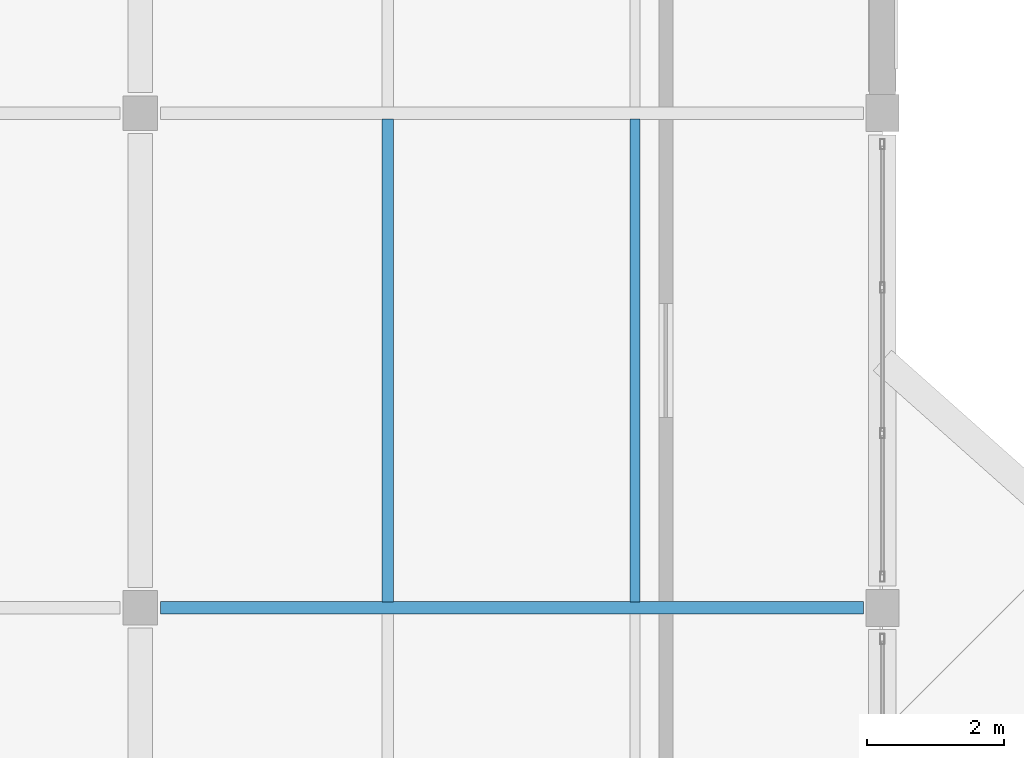
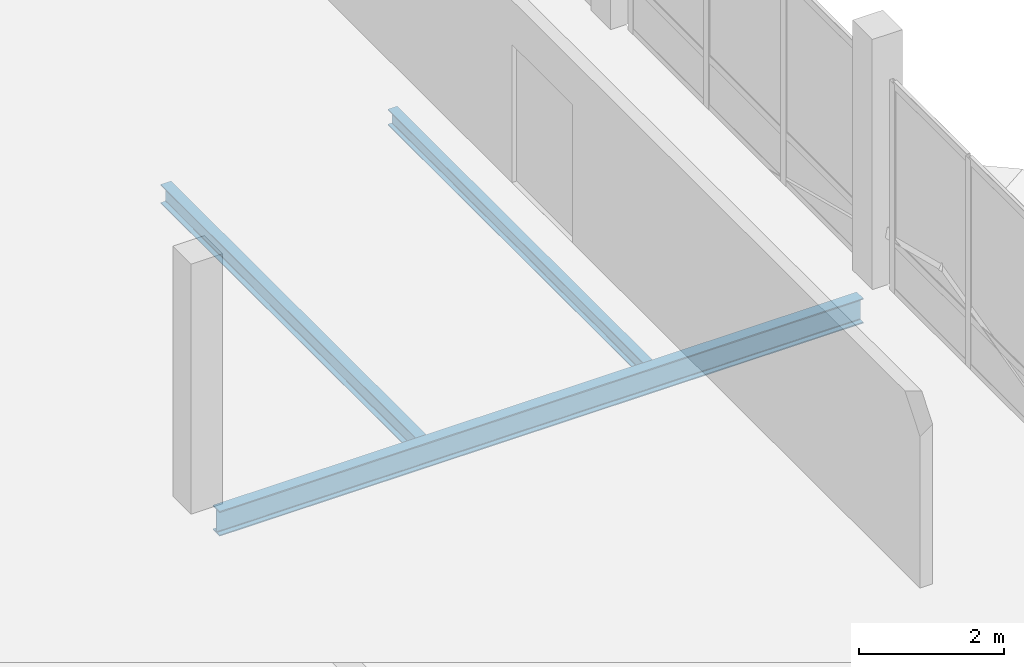
# One storey, part 16 of 72: 3 beams.
"""IFC4 building model written with IfcOpenShell, lengths in metres."""

from ifc_helpers import new_model, si_unit, direction, frame, origin, origin_2d, place, context, subcontext, project, spatial, i_section, extrude, material, material_profile, profile_set, type_object, element, save


model = new_model("IFC4")

# Units and contexts
model_context = context("Model", 3, precision=1e-05, world=origin(), true_north=direction((0.0, 1.0)))
body_context = subcontext(model_context, "Body", "Model", "MODEL_VIEW")
ifc_project = project(units=[si_unit("LENGTHUNIT", "METRE"), si_unit("AREAUNIT", "SQUARE_METRE"), si_unit("VOLUMEUNIT", "CUBIC_METRE"), si_unit("PLANEANGLEUNIT", "RADIAN"), si_unit("MASSUNIT", "GRAM", prefix="KILO")], contexts=[model_context])

# Site, building, storey
site_placement = place(None, origin())
site = spatial("IfcSite", under=ifc_project, at=site_placement, CompositionType="ELEMENT")
building_placement = place(site_placement, origin())
building = spatial("IfcBuilding", under=site, at=building_placement, Name="Lusvemor Sports Hall", CompositionType="ELEMENT")
storey_placement = place(building_placement, frame((0.0, 0.0, 15.0)))
storey = spatial("IfcBuildingStorey", under=building, at=storey_placement, Name="L03", CompositionType="ELEMENT", Elevation=15.0)

# Beams
ifc_material_1 = material(Name="Steel S355", Category="steel")
ifc_material_profile_1 = material_profile(ifc_material_1, i_section(OverallWidth=0.180908203125, OverallDepth=0.4169921875, WebThickness=0.010986328125, FlangeThickness=0.018310546875, FilletRadius=0.01611328125, at=origin_2d()), Name="W410x85.0")
ifc_profile_set_1 = profile_set([ifc_material_profile_1], Name="Steel S355")
beam_type_1 = type_object("IfcBeamType", Name="BEAM_ST_410H", PredefinedType="BEAM", material=ifc_profile_set_1)
beam_1_placement = place(storey_placement, frame((11.095947265625, 82.800048828125, -0.452392578125), z_axis=(1.0, 0.0, 0.0), x_axis=(0.0, 1.0, 0.0)))
element("IfcBeam", 1, at=beam_1_placement, inside=storey, type_object=beam_type_1, Name="Beam L03 L:2-3", PredefinedType="BEAM", context=body_context, shape_type="SweptSolid", body=[
    extrude(i_section(OverallWidth=0.180908203125, OverallDepth=0.4169921875, WebThickness=0.010986328125, FlangeThickness=0.018310546875, FilletRadius=0.01611328125, at=origin_2d()), origin(), (0.0, 0.0, 1.0), 10.22802734375),
])
ifc_material_2 = material(Name="Steel S355", Category="steel")
ifc_material_profile_2 = material_profile(ifc_material_2, i_section(OverallWidth=0.14794921875, OverallDepth=0.26611328125, WebThickness=0.007568359375, FlangeThickness=0.012939453125, FilletRadius=0.012939453125, at=origin_2d()), Name="W250x44.8")
ifc_profile_set_2 = profile_set([ifc_material_profile_2], Name="Steel S355")
beam_type_2 = type_object("IfcBeamType", Name="JOIST_ST_250M", PredefinedType="JOIST", material=ifc_profile_set_2)
beam_2_placement = place(storey_placement, frame((18.0, 82.886474609375, -0.376953125), z_axis=(0.0, 1.0, 0.0), x_axis=(-1.0, 0.0, 0.0)))
element("IfcBeam", 2, at=beam_2_placement, inside=storey, type_object=beam_type_2, Name="Secondary Joist L03 2-3/L-M #2", PredefinedType="JOIST", context=body_context, shape_type="SweptSolid", body=[
    extrude(i_section(OverallWidth=0.14794921875, OverallDepth=0.26611328125, WebThickness=0.007568359375, FlangeThickness=0.012939453125, FilletRadius=0.012939453125, at=origin_2d()), origin(), (0.0, 0.0, 1.0), 7.027099609375),
])
ifc_material_3 = material(Name="Steel S355", Category="steel")
ifc_material_profile_3 = material_profile(ifc_material_3, i_section(OverallWidth=0.1669921875, OverallDepth=0.31689453125, WebThickness=0.007568359375, FlangeThickness=0.01318359375, FilletRadius=0.014892578125, at=origin_2d()), Name="W310x52.0")
ifc_profile_set_3 = profile_set([ifc_material_profile_3], Name="Steel S355")
beam_type_3 = type_object("IfcBeamType", Name="JOIST_ST_310M", PredefinedType="JOIST", material=ifc_profile_set_3)
beam_3_placement = place(storey_placement, frame((14.39990234375, 82.886474609375, -0.402587890625), z_axis=(0.0, 1.0, 0.0), x_axis=(-1.0, 0.0, 0.0)))
element("IfcBeam", 3, at=beam_3_placement, inside=storey, type_object=beam_type_3, Name="Secondary Joist L03 2-3/L-M #1", PredefinedType="JOIST", context=body_context, shape_type="SweptSolid", body=[
    extrude(i_section(OverallWidth=0.1669921875, OverallDepth=0.31689453125, WebThickness=0.007568359375, FlangeThickness=0.01318359375, FilletRadius=0.014892578125, at=origin_2d()), origin(), (0.0, 0.0, 1.0), 7.027099609375),
])

save(model, "model.ifc")
